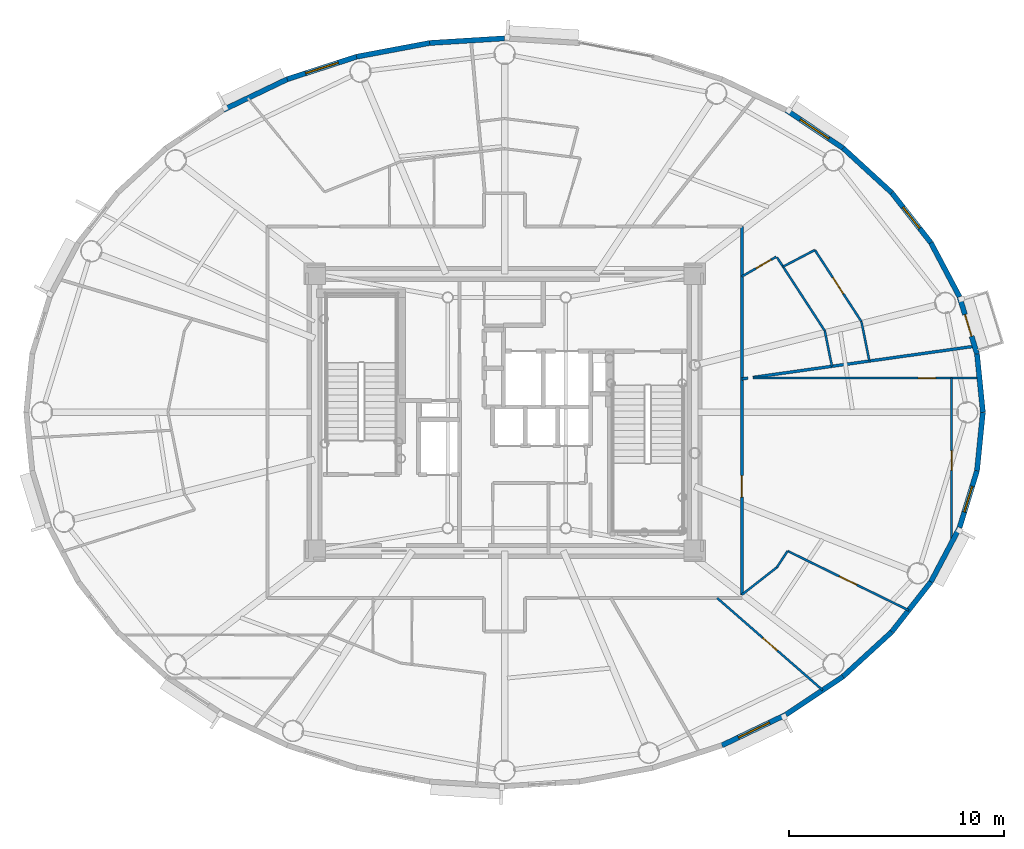
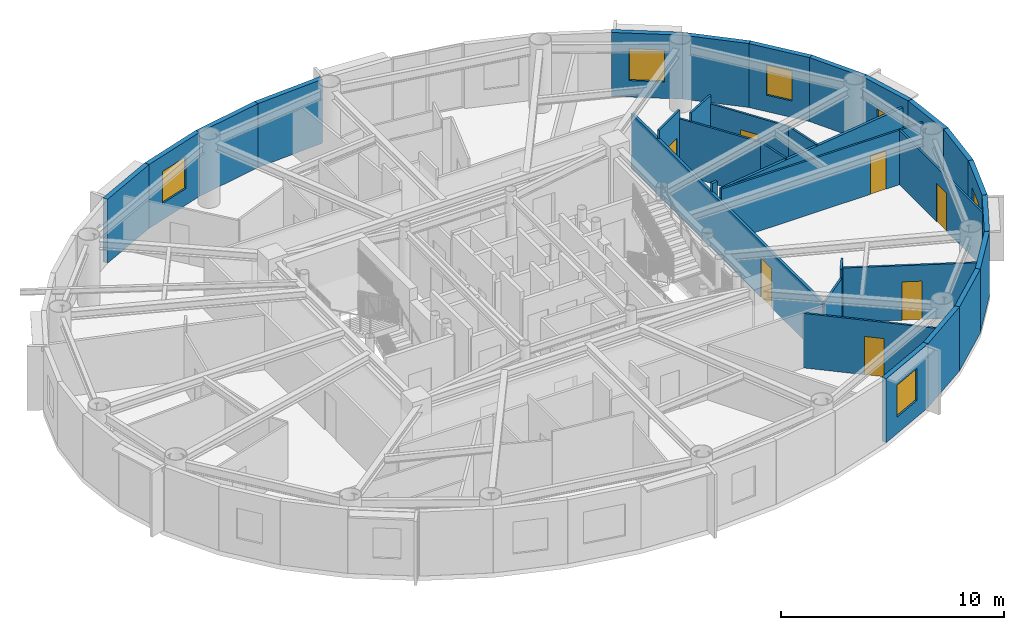
# One storey, part 9 of 17: 32 walls, 8 doors, 5 windows, 13 openings.
"""IFC4 building model written with IfcOpenShell, lengths in metres."""

from ifc_helpers import new_model, si_unit, direction, frame, frame_2d, origin, origin_2d, place, context, subcontext, project, spatial, rectangle, extrude, source, transform, mapped, material, layer, layer_set, type_object, element, fill, save


model = new_model("IFC4")

# Units and contexts
model_context = context("Model", 3, precision=1e-05, world=origin(), true_north=direction((0.0, 1.0)))
body_context = subcontext(model_context, "Body", "Model", "MODEL_VIEW")
ifc_project = project(units=[si_unit("LENGTHUNIT", "METRE"), si_unit("AREAUNIT", "SQUARE_METRE"), si_unit("VOLUMEUNIT", "CUBIC_METRE"), si_unit("PLANEANGLEUNIT", "RADIAN"), si_unit("MASSUNIT", "GRAM", prefix="KILO")], contexts=[model_context])

# Site, building, storey
site_placement = place(None, origin())
site = spatial("IfcSite", under=ifc_project, at=site_placement, CompositionType="ELEMENT")
building_placement = place(site_placement, origin())
building = spatial("IfcBuilding", under=site, at=building_placement, Name="Linh Dai School and Residence Tower", CompositionType="ELEMENT")
storey_placement = place(building_placement, frame((0.0, 0.0, 280.5)))
storey = spatial("IfcBuildingStorey", under=building, at=storey_placement, Name="L69", CompositionType="ELEMENT", Elevation=280.5)

# Wall
ifc_material_1 = material(Name="Precast Concrete B45 (C35/45)", Category="concrete")
ifc_layer_1 = layer(ifc_material_1, 0.239990234375)
ifc_layer_set_1 = layer_set([ifc_layer_1], Name="Precast Concrete B45 (C35/45)")
wall_type_1 = type_object("IfcWallType", Name="EW-TC-240", PredefinedType="SOLIDWALL", material=ifc_layer_set_1)
wall_1_placement = place(storey_placement, frame((58.001708984375, 29.718994140625, 0.0), z_axis=(0.0, 0.0, 1.0), x_axis=(0.099972526841, -0.99499019788, 0.0)))
element("IfcWall", 1, at=wall_1_placement, inside=storey, type_object=wall_type_1, Name="L69 Terracotta Exterior Wall 01", PredefinedType="SOLIDWALL", context=body_context, shape_type="SweptSolid", body=[
    extrude(rectangle(XDim=2.732666015625, YDim=0.239990234375, at=frame_2d((1.3662109375, 0.0))), origin(), (0.0, 0.0, 1.0), 3.5),
])

# Wall, opening, door
wall_2_placement = place(storey_placement, frame((57.188232421875, 32.372314453125, 0.0), z_axis=(0.0, 0.0, 1.0), x_axis=(0.2931213403, -0.956075248012, 0.0)))
wall_2 = element("IfcWall", 2, at=wall_2_placement, inside=storey, type_object=wall_type_1, Name="L69 Terracotta Exterior Wall 02", PredefinedType="SOLIDWALL", context=body_context, shape_type="SweptSolid", body=[
    extrude(rectangle(XDim=2.775146484375, YDim=0.239990234375, at=frame_2d((1.3876953125, 0.0))), origin(), (0.0, 0.0, 1.0), 3.5),
])
opening_1_placement = place(wall_2_placement, frame((0.862548828125, 0.0, 0.0)))
opening_1 = element("IfcOpeningElement", 3, at=opening_1_placement, cuts=wall_2, Name="Opening BD1", PredefinedType="OPENING", context=body_context, shape_type="SweptSolid", body=[
    extrude(rectangle(XDim=1.050048828125, YDim=2.14990234375, at=origin_2d()), frame((0.52490234375, 0.1298828125, 1.074951171875), z_axis=(0.0, -1.0, 0.0), x_axis=(1.0, 0.0, 0.0)), (0.0, 0.0, 1.0), 0.260009765625),
])
ifc_material_2 = material(Name="Double-Glazed Balcony Door", Category="glass")
door_type_1 = type_object("IfcDoorType", Name="DR-BALC-1050x2150", OperationType="NOTDEFINED", PredefinedType="DOOR", material=ifc_material_2)
shared_shape_1 = source(origin(), body_context, "Body", "SweptSolid", [
    extrude(rectangle(XDim=1.050048828125, YDim=2.14990234375, at=origin_2d()), frame((0.52490234375, 0.02490234375, 1.074951171875), z_axis=(0.0, -1.0, 0.0), x_axis=(1.0, 0.0, 0.0)), (0.0, 0.0, 1.0), 0.050048828125),
])
door_1_placement = place(opening_1_placement, origin())
door_1 = element("IfcDoor", 4, at=door_1_placement, inside=storey, type_object=door_type_1, Name="L69 Glazed Balcony Door 02", OperationType="SINGLE_SWING_LEFT", OverallHeight=2.14990234375, OverallWidth=1.050048828125, PredefinedType="DOOR", context=body_context, shape_type="MappedRepresentation", body=[
    mapped(shared_shape_1, transform((0.0, 0.0, 0.0), x_axis=(1.0, 0.0, 0.0), y_axis=(0.0, 1.0, 0.0), z_axis=(0.0, 0.0, 1.0), scale=1.0)),
])
fill(opening_1, door_1)

# Wall
wall_3_placement = place(storey_placement, frame((55.853759765625, 34.894775390625, 0.0), z_axis=(0.0, 0.0, 1.0), x_axis=(0.467628269026, -0.883925224218, 0.0)))
element("IfcWall", 5, at=wall_3_placement, inside=storey, type_object=wall_type_1, Name="L69 Terracotta Exterior Wall 03", PredefinedType="SOLIDWALL", context=body_context, shape_type="SweptSolid", body=[
    extrude(rectangle(XDim=2.853759765625, YDim=0.239990234375, at=frame_2d((1.4267578125, 0.0))), origin(), (0.0, 0.0, 1.0), 3.5),
])

# Wall, opening, window
wall_4_placement = place(storey_placement, frame((54.0302734375, 37.224609375, 0.0), z_axis=(0.0, 0.0, 1.0), x_axis=(0.616337186556, -0.787482363275, 0.0)))
wall_4 = element("IfcWall", 6, at=wall_4_placement, inside=storey, type_object=wall_type_1, Name="L69 Terracotta Exterior Wall 04", PredefinedType="SOLIDWALL", context=body_context, shape_type="SweptSolid", body=[
    extrude(rectangle(XDim=2.95849609375, YDim=0.239990234375, at=frame_2d((1.479248046875, 0.0))), origin(), (0.0, 0.0, 1.0), 3.5),
])
opening_2_placement = place(wall_4_placement, frame((0.85400390625, 0.0, 0.89990234375)))
opening_2 = element("IfcOpeningElement", 7, at=opening_2_placement, cuts=wall_4, Name="Opening W3", PredefinedType="OPENING", context=body_context, shape_type="SweptSolid", body=[
    extrude(rectangle(XDim=1.25, YDim=1.64990234375, at=origin_2d()), frame((0.625, 0.1298828125, 0.824951171875), z_axis=(0.0, -1.0, 0.0), x_axis=(1.0, 0.0, 0.0)), (0.0, 0.0, 1.0), 0.260009765625),
])
ifc_material_3 = material(Name="Double Low-E Insulated Glazing", Category="glass")
window_type_1 = type_object("IfcWindowType", Name="WN-RES-1250x1650", PartitioningType="SINGLE_PANEL", PredefinedType="WINDOW", material=ifc_material_3)
shared_shape_2 = source(origin(), body_context, "Body", "SweptSolid", [
    extrude(rectangle(XDim=1.25, YDim=1.64990234375, at=origin_2d()), frame((0.625, 0.030029296875, 0.824951171875), z_axis=(0.0, -1.0, 0.0), x_axis=(1.0, 0.0, 0.0)), (0.0, 0.0, 1.0), 0.06005859375),
])
window_1_placement = place(opening_2_placement, origin())
window_1 = element("IfcWindow", 8, at=window_1_placement, inside=storey, type_object=window_type_1, Name="L69 Exterior Window 04.1", OverallHeight=1.64990234375, OverallWidth=1.25, PartitioningType="SINGLE_PANEL", PredefinedType="WINDOW", context=body_context, shape_type="MappedRepresentation", body=[
    mapped(shared_shape_2, transform((0.0, 0.0, 0.0), x_axis=(1.0, 0.0, 0.0), y_axis=(0.0, 1.0, 0.0), z_axis=(0.0, 0.0, 1.0), scale=1.0)),
])
fill(opening_2, window_1)

# Wall
wall_5_placement = place(storey_placement, frame((51.76220703125, 39.30419921875, 0.0), z_axis=(0.0, 0.0, 1.0), x_axis=(0.737068506972, -0.675818034703, 0.0)))
element("IfcWall", 9, at=wall_5_placement, inside=storey, type_object=wall_type_1, Name="L69 Terracotta Exterior Wall 05", PredefinedType="SOLIDWALL", context=body_context, shape_type="SweptSolid", body=[
    extrude(rectangle(XDim=3.0771484375, YDim=0.239990234375, at=frame_2d((1.53857421875, 0.0))), origin(), (0.0, 0.0, 1.0), 3.5),
])

# Wall, opening, window
wall_6_placement = place(storey_placement, frame((49.1044921875, 41.08154296875, 0.0), z_axis=(0.0, 0.0, 1.0), x_axis=(0.831250592635, -0.55589787933, 0.0)))
wall_6 = element("IfcWall", 10, at=wall_6_placement, inside=storey, type_object=wall_type_1, Name="L69 Terracotta Exterior Wall 06", PredefinedType="SOLIDWALL", context=body_context, shape_type="SweptSolid", body=[
    extrude(rectangle(XDim=3.197265625, YDim=0.239990234375, at=frame_2d((1.5986328125, 0.0))), origin(), (0.0, 0.0, 1.0), 3.5),
])
opening_3_placement = place(wall_6_placement, frame((0.79833984375, 0.0, 0.89990234375)))
opening_3 = element("IfcOpeningElement", 11, at=opening_3_placement, cuts=wall_6, Name="Opening W2", PredefinedType="OPENING", context=body_context, shape_type="SweptSolid", body=[
    extrude(rectangle(XDim=1.60009765625, YDim=1.75, at=origin_2d()), frame((0.800048828125, 0.1298828125, 0.875), z_axis=(0.0, -1.0, 0.0), x_axis=(1.0, 0.0, 0.0)), (0.0, 0.0, 1.0), 0.260009765625),
])
window_type_2 = type_object("IfcWindowType", Name="WN-RES-1600x1750", PartitioningType="DOUBLE_PANEL_VERTICAL", PredefinedType="WINDOW", material=ifc_material_3)
shared_shape_3 = source(origin(), body_context, "Body", "SweptSolid", [
    extrude(rectangle(XDim=1.60009765625, YDim=1.75, at=origin_2d()), frame((0.800048828125, 0.030029296875, 0.875), z_axis=(0.0, -1.0, 0.0), x_axis=(1.0, 0.0, 0.0)), (0.0, 0.0, 1.0), 0.06005859375),
])
window_2_placement = place(opening_3_placement, origin())
window_2 = element("IfcWindow", 12, at=window_2_placement, inside=storey, type_object=window_type_2, Name="L69 Exterior Window 06.1", OverallHeight=1.75, OverallWidth=1.60009765625, PartitioningType="DOUBLE_PANEL_VERTICAL", PredefinedType="WINDOW", context=body_context, shape_type="MappedRepresentation", body=[
    mapped(shared_shape_3, transform((0.0, 0.0, 0.0), x_axis=(1.0, 0.0, 0.0), y_axis=(0.0, 1.0, 0.0), z_axis=(0.0, 0.0, 1.0), scale=1.0)),
])
fill(opening_3, window_2)

# Walls
wall_7_placement = place(storey_placement, frame((32.51123046875, 44.199951171875, 0.0), z_axis=(0.0, 0.0, 1.0), x_axis=(0.998104946479, 0.061534671648, 0.0)))
element("IfcWall", 13, at=wall_7_placement, inside=storey, type_object=wall_type_1, Name="L69 Terracotta Exterior Wall 11", PredefinedType="SOLIDWALL", context=body_context, shape_type="SweptSolid", body=[
    extrude(rectangle(XDim=3.495361328125, YDim=0.239990234375, at=frame_2d((1.74755859375, 0.0))), origin(), (0.0, 0.0, 1.0), 3.5),
])
wall_8_placement = place(storey_placement, frame((29.10888671875, 43.560302734375, 0.0), z_axis=(0.0, 0.0, 1.0), x_axis=(0.982782655757, 0.184765395959, 0.0)))
element("IfcWall", 14, at=wall_8_placement, inside=storey, type_object=wall_type_1, Name="L69 Terracotta Exterior Wall 12", PredefinedType="SOLIDWALL", context=body_context, shape_type="SweptSolid", body=[
    extrude(rectangle(XDim=3.4619140625, YDim=0.239990234375, at=frame_2d((1.73095703125, 0.0))), origin(), (0.0, 0.0, 1.0), 3.5),
])

# Wall, opening, window
wall_9_placement = place(storey_placement, frame((25.876953125, 42.51220703125, 0.0), z_axis=(0.0, 0.0, 1.0), x_axis=(0.95123136723, 0.308478339592, 0.0)))
wall_9 = element("IfcWall", 15, at=wall_9_placement, inside=storey, type_object=wall_type_1, Name="L69 Terracotta Exterior Wall 13", PredefinedType="SOLIDWALL", context=body_context, shape_type="SweptSolid", body=[
    extrude(rectangle(XDim=3.397705078125, YDim=0.239990234375, at=frame_2d((1.69873046875, 0.0))), origin(), (0.0, 0.0, 1.0), 3.5),
])
opening_4_placement = place(wall_9_placement, frame((0.89892578125, 0.0, 0.89990234375)))
opening_4 = element("IfcOpeningElement", 16, at=opening_4_placement, cuts=wall_9, Name="Opening W2", PredefinedType="OPENING", context=body_context, shape_type="SweptSolid", body=[
    extrude(rectangle(XDim=1.60009765625, YDim=1.75, at=origin_2d()), frame((0.800048828125, 0.1298828125, 0.875), z_axis=(0.0, -1.0, 0.0), x_axis=(1.0, 0.0, 0.0)), (0.0, 0.0, 1.0), 0.260009765625),
])
window_3_placement = place(opening_4_placement, origin())
window_3 = element("IfcWindow", 17, at=window_3_placement, inside=storey, type_object=window_type_2, Name="L69 Exterior Window 13.1", OverallHeight=1.75, OverallWidth=1.60009765625, PartitioningType="DOUBLE_PANEL_VERTICAL", PredefinedType="WINDOW", context=body_context, shape_type="MappedRepresentation", body=[
    mapped(shared_shape_3, transform((0.0, 0.0, 0.0), x_axis=(1.0, 0.0, 0.0), y_axis=(0.0, 1.0, 0.0), z_axis=(0.0, 0.0, 1.0), scale=1.0)),
])
fill(opening_4, window_3)

# Wall
wall_10_placement = place(storey_placement, frame((22.8955078125, 41.08154296875, 0.0), z_axis=(0.0, 0.0, 1.0), x_axis=(0.901573741254, 0.43262546051, 0.0)))
element("IfcWall", 18, at=wall_10_placement, inside=storey, type_object=wall_type_1, Name="L69 Terracotta Exterior Wall 14", PredefinedType="SOLIDWALL", context=body_context, shape_type="SweptSolid", body=[
    extrude(rectangle(XDim=3.306884765625, YDim=0.239990234375, at=frame_2d((1.6533203125, 0.0))), origin(), (0.0, 0.0, 1.0), 3.5),
])

# Wall, opening, window
wall_11_placement = place(storey_placement, frame((49.1044921875, 12.91845703125, 0.0), z_axis=(0.0, 0.0, 1.0), x_axis=(-0.901573741254, -0.43262546051, 0.0)))
wall_11 = element("IfcWall", 19, at=wall_11_placement, inside=storey, type_object=wall_type_1, Name="L69 Terracotta Exterior Wall 34", PredefinedType="SOLIDWALL", context=body_context, shape_type="SweptSolid", body=[
    extrude(rectangle(XDim=3.306884765625, YDim=0.239990234375, at=frame_2d((1.6533203125, 0.0))), origin(), (0.0, 0.0, 1.0), 3.5),
])
opening_5_placement = place(wall_11_placement, frame((0.853515625, 0.0, 0.89990234375)))
opening_5 = element("IfcOpeningElement", 20, at=opening_5_placement, cuts=wall_11, Name="Opening W2", PredefinedType="OPENING", context=body_context, shape_type="SweptSolid", body=[
    extrude(rectangle(XDim=1.60009765625, YDim=1.75, at=origin_2d()), frame((0.800048828125, 0.1298828125, 0.875), z_axis=(0.0, -1.0, 0.0), x_axis=(1.0, 0.0, 0.0)), (0.0, 0.0, 1.0), 0.260009765625),
])
window_4_placement = place(opening_5_placement, origin())
window_4 = element("IfcWindow", 21, at=window_4_placement, inside=storey, type_object=window_type_2, Name="L69 Exterior Window 34.1", OverallHeight=1.75, OverallWidth=1.60009765625, PartitioningType="DOUBLE_PANEL_VERTICAL", PredefinedType="WINDOW", context=body_context, shape_type="MappedRepresentation", body=[
    mapped(shared_shape_3, transform((0.0, 0.0, 0.0), x_axis=(1.0, 0.0, 0.0), y_axis=(0.0, 1.0, 0.0), z_axis=(0.0, 0.0, 1.0), scale=1.0)),
])
fill(opening_5, window_4)

# Walls
wall_12_placement = place(storey_placement, frame((51.76220703125, 14.69580078125, 0.0), z_axis=(0.0, 0.0, 1.0), x_axis=(-0.831250592635, -0.55589787933, 0.0)))
element("IfcWall", 22, at=wall_12_placement, inside=storey, type_object=wall_type_1, Name="L69 Terracotta Exterior Wall 35", PredefinedType="SOLIDWALL", context=body_context, shape_type="SweptSolid", body=[
    extrude(rectangle(XDim=3.197265625, YDim=0.239990234375, at=frame_2d((1.5986328125, 0.0))), origin(), (0.0, 0.0, 1.0), 3.5),
])
wall_13_placement = place(storey_placement, frame((54.0302734375, 16.775390625, 0.0), z_axis=(0.0, 0.0, 1.0), x_axis=(-0.737068506972, -0.675818034703, 0.0)))
element("IfcWall", 23, at=wall_13_placement, inside=storey, type_object=wall_type_1, Name="L69 Terracotta Exterior Wall 36", PredefinedType="SOLIDWALL", context=body_context, shape_type="SweptSolid", body=[
    extrude(rectangle(XDim=3.0771484375, YDim=0.239990234375, at=frame_2d((1.53857421875, 0.0))), origin(), (0.0, 0.0, 1.0), 3.5),
])
wall_14_placement = place(storey_placement, frame((55.853759765625, 19.105224609375, 0.0), z_axis=(0.0, 0.0, 1.0), x_axis=(-0.616337186556, -0.787482363275, 0.0)))
element("IfcWall", 24, at=wall_14_placement, inside=storey, type_object=wall_type_1, Name="L69 Terracotta Exterior Wall 37", PredefinedType="SOLIDWALL", context=body_context, shape_type="SweptSolid", body=[
    extrude(rectangle(XDim=2.95849609375, YDim=0.239990234375, at=frame_2d((1.479248046875, 0.0))), origin(), (0.0, 0.0, 1.0), 3.5),
])
wall_15_placement = place(storey_placement, frame((57.188232421875, 21.627685546875, 0.0), z_axis=(0.0, 0.0, 1.0), x_axis=(-0.467628269026, -0.883925224218, 0.0)))
element("IfcWall", 25, at=wall_15_placement, inside=storey, type_object=wall_type_1, Name="L69 Terracotta Exterior Wall 38", PredefinedType="SOLIDWALL", context=body_context, shape_type="SweptSolid", body=[
    extrude(rectangle(XDim=2.853759765625, YDim=0.239990234375, at=frame_2d((1.4267578125, 0.0))), origin(), (0.0, 0.0, 1.0), 3.5),
])

# Wall, opening, window
wall_16_placement = place(storey_placement, frame((58.001708984375, 24.281005859375, 0.0), z_axis=(0.0, 0.0, 1.0), x_axis=(-0.2931213403, -0.956075248012, 0.0)))
wall_16 = element("IfcWall", 26, at=wall_16_placement, inside=storey, type_object=wall_type_1, Name="L69 Terracotta Exterior Wall 39", PredefinedType="SOLIDWALL", context=body_context, shape_type="SweptSolid", body=[
    extrude(rectangle(XDim=2.775146484375, YDim=0.239990234375, at=frame_2d((1.3876953125, 0.0))), origin(), (0.0, 0.0, 1.0), 3.5),
])
opening_6_placement = place(wall_16_placement, frame((0.7626953125, 0.0, 0.89990234375)))
opening_6 = element("IfcOpeningElement", 27, at=opening_6_placement, cuts=wall_16, Name="Opening W3", PredefinedType="OPENING", context=body_context, shape_type="SweptSolid", body=[
    extrude(rectangle(XDim=1.25, YDim=1.64990234375, at=origin_2d()), frame((0.625, 0.1298828125, 0.824951171875), z_axis=(0.0, -1.0, 0.0), x_axis=(1.0, 0.0, 0.0)), (0.0, 0.0, 1.0), 0.260009765625),
])
window_5_placement = place(opening_6_placement, origin())
window_5 = element("IfcWindow", 28, at=window_5_placement, inside=storey, type_object=window_type_1, Name="L69 Exterior Window 39.1", OverallHeight=1.64990234375, OverallWidth=1.25, PartitioningType="SINGLE_PANEL", PredefinedType="WINDOW", context=body_context, shape_type="MappedRepresentation", body=[
    mapped(shared_shape_2, transform((0.0, 0.0, 0.0), x_axis=(1.0, 0.0, 0.0), y_axis=(0.0, 1.0, 0.0), z_axis=(0.0, 0.0, 1.0), scale=1.0)),
])
fill(opening_6, window_5)

# Wall
wall_17_placement = place(storey_placement, frame((58.27490234375, 27.0, 0.0), z_axis=(0.0, 0.0, 1.0), x_axis=(-0.099972526841, -0.99499019788, 0.0)))
element("IfcWall", 29, at=wall_17_placement, inside=storey, type_object=wall_type_1, Name="L69 Terracotta Exterior Wall 40", PredefinedType="SOLIDWALL", context=body_context, shape_type="SweptSolid", body=[
    extrude(rectangle(XDim=2.732666015625, YDim=0.239990234375, at=frame_2d((1.3662109375, 0.0))), origin(), (0.0, 0.0, 1.0), 3.5),
])

# Wall, opening, door
ifc_material_4 = material(Name="Autoclaved Aerated Concrete Blockwork", Category="masonry")
ifc_layer_2 = layer(ifc_material_4, 0.135009765625)
ifc_layer_set_2 = layer_set([ifc_layer_2], Name="Autoclaved Aerated Concrete Blockwork")
wall_type_2 = type_object("IfcWallType", Name="IW-CORR-135-EI90", PredefinedType="PARTITIONING", material=ifc_layer_set_2)
wall_18_placement = place(storey_placement, frame((47.050048828125, 18.502685546875, 0.0), z_axis=(0.0, 0.0, 1.0), x_axis=(0.0, 1.0, 0.0)))
wall_18 = element("IfcWall", 30, at=wall_18_placement, inside=storey, type_object=wall_type_2, Name="L69 Interior Partition Wall 074", PredefinedType="PARTITIONING", context=body_context, shape_type="SweptSolid", body=[
    extrude(rectangle(XDim=17.147216796875, YDim=0.135009765625, at=frame_2d((8.57373046875, 0.0))), origin(), (0.0, 0.0, 1.0), 3.034912109375),
])
opening_7_placement = place(wall_18_placement, frame((4.545166015625, 0.0, 0.0)))
opening_7 = element("IfcOpeningElement", 31, at=opening_7_placement, cuts=wall_18, Name="Opening D03", PredefinedType="OPENING", context=body_context, shape_type="SweptSolid", body=[
    extrude(rectangle(XDim=1.0, YDim=2.14990234375, at=origin_2d()), frame((0.5, 0.07763671875, 1.074951171875), z_axis=(0.0, -1.0, 0.0), x_axis=(1.0, 0.0, 0.0)), (0.0, 0.0, 1.0), 0.155029296875),
])
ifc_material_5 = material(Name="Fire-Rated Solid Timber Entrance Door", Category="wood")
door_type_2 = type_object("IfcDoorType", Name="DR-FLAT-1000x2150-FD60S", OperationType="NOTDEFINED", PredefinedType="DOOR", material=ifc_material_5)
shared_shape_4 = source(origin(), body_context, "Body", "SweptSolid", [
    extrude(rectangle(XDim=1.0, YDim=2.14990234375, at=origin_2d()), frame((0.5, 0.02490234375, 1.074951171875), z_axis=(0.0, -1.0, 0.0), x_axis=(1.0, 0.0, 0.0)), (0.0, 0.0, 1.0), 0.050048828125),
])
door_2_placement = place(opening_7_placement, origin())
door_2 = element("IfcDoor", 32, at=door_2_placement, inside=storey, type_object=door_type_2, Name="L69 U6906 Apartment Entrance Door", OperationType="SINGLE_SWING_RIGHT", OverallHeight=2.14990234375, OverallWidth=1.0, PredefinedType="DOOR", context=body_context, shape_type="MappedRepresentation", body=[
    mapped(shared_shape_4, transform((0.0, 0.0, 0.0), x_axis=(1.0, 0.0, 0.0), y_axis=(0.0, 1.0, 0.0), z_axis=(0.0, 0.0, 1.0), scale=1.0)),
])
fill(opening_7, door_2)

# Walls
wall_19_placement = place(storey_placement, frame((47.050048828125, 28.552978515625, 0.0), z_axis=(0.0, 0.0, 1.0), x_axis=(0.990308552968, 0.138884736087, 0.0)))
element("IfcWall", 33, at=wall_19_placement, inside=storey, type_object=wall_type_2, Name="L69 Interior Partition Wall 076", PredefinedType="PARTITIONING", context=body_context, shape_type="SweptSolid", body=[
    extrude(rectangle(XDim=0.282958984375, YDim=0.135009765625, at=frame_2d((0.1416015625, 0.0))), origin(), (0.0, 0.0, 1.0), 3.5),
])
wall_20_placement = place(storey_placement, frame((47.56201171875, 28.625, 0.0), z_axis=(0.0, 0.0, 1.0), x_axis=(0.990269276455, 0.139164507362, 0.0)))
element("IfcWall", 34, at=wall_20_placement, inside=storey, type_object=wall_type_2, Name="L69 Interior Partition Wall 078", PredefinedType="PARTITIONING", context=body_context, shape_type="SweptSolid", body=[
    extrude(rectangle(XDim=10.4365234375, YDim=0.135009765625, at=frame_2d((5.21826171875, 0.0))), origin(), (0.0, 0.0, 1.0), 2.985107421875),
])

# Wall, opening, door
ifc_material_6 = material(Name="Gypsum Plasterboard Acoustic Stud Partition", Category="masonry")
ifc_layer_3 = layer(ifc_material_6, 0.10009765625)
ifc_layer_set_3 = layer_set([ifc_layer_3], Name="Gypsum Plasterboard Acoustic Stud Partition")
wall_type_3 = type_object("IfcWallType", Name="IW-UNIT-100", PredefinedType="PARTITIONING", material=ifc_layer_set_3)
wall_21_placement = place(storey_placement, frame((45.90087890625, 18.35009765625, 0.0), z_axis=(0.0, 0.0, 1.0), x_axis=(0.753056223084, -0.657956172457, 0.0)))
wall_21 = element("IfcWall", 35, at=wall_21_placement, inside=storey, type_object=wall_type_3, Name="L69 Interior Partition Wall 073", PredefinedType="PARTITIONING", context=body_context, shape_type="SweptSolid", body=[
    extrude(rectangle(XDim=6.52587890625, YDim=0.10009765625, at=frame_2d((3.262939453125, 0.0))), origin(), (0.0, 0.0, 1.0), 2.985107421875),
])
opening_8_placement = place(wall_21_placement, frame((2.81298828125, 0.0, 0.0)))
opening_8 = element("IfcOpeningElement", 36, at=opening_8_placement, cuts=wall_21, Name="Opening D05", PredefinedType="OPENING", context=body_context, shape_type="SweptSolid", body=[
    extrude(rectangle(XDim=0.89990234375, YDim=2.10009765625, at=origin_2d()), frame((0.449951171875, 0.06005859375, 1.050048828125), z_axis=(0.0, -1.0, 0.0), x_axis=(1.0, 0.0, 0.0)), (0.0, 0.0, 1.0), 0.1201171875),
])
ifc_material_7 = material(Name="Engineered Timber Internal Door", Category="wood")
door_type_3 = type_object("IfcDoorType", Name="DR-INT-900x2100", OperationType="NOTDEFINED", PredefinedType="DOOR", material=ifc_material_7)
shared_shape_5 = source(origin(), body_context, "Body", "SweptSolid", [
    extrude(rectangle(XDim=0.89990234375, YDim=2.10009765625, at=origin_2d()), frame((0.449951171875, 0.02490234375, 1.050048828125), z_axis=(0.0, -1.0, 0.0), x_axis=(1.0, 0.0, 0.0)), (0.0, 0.0, 1.0), 0.050048828125),
])
door_3_placement = place(opening_8_placement, origin())
door_3 = element("IfcDoor", 37, at=door_3_placement, inside=storey, type_object=door_type_3, Name="L69 Apartment U6906 Principal Bedroom 1 Door", OperationType="SINGLE_SWING_RIGHT", OverallHeight=2.10009765625, OverallWidth=0.89990234375, PredefinedType="DOOR", context=body_context, shape_type="MappedRepresentation", body=[
    mapped(shared_shape_5, transform((0.0, 0.0, 0.0), x_axis=(1.0, 0.0, 0.0), y_axis=(0.0, 1.0, 0.0), z_axis=(0.0, 0.0, 1.0), scale=1.0)),
])
fill(opening_8, door_3)

# Wall
wall_22_placement = place(storey_placement, frame((47.050048828125, 18.502685546875, 0.0), z_axis=(0.0, 0.0, 1.0), x_axis=(0.787328855274, 0.616533270516, 0.0)))
element("IfcWall", 38, at=wall_22_placement, inside=storey, type_object=wall_type_3, Name="L69 Interior Partition Wall 075", PredefinedType="PARTITIONING", context=body_context, shape_type="SweptSolid", body=[
    extrude(rectangle(XDim=2.076904296875, YDim=0.10009765625, at=frame_2d((1.03857421875, 0.0))), origin(), (0.0, 0.0, 1.0), 3.034912109375),
])

# Wall, opening, door
wall_23_placement = place(storey_placement, frame((47.050048828125, 33.32568359375, 0.0), z_axis=(0.0, 0.0, 1.0), x_axis=(0.867827775188, 0.496865125172, 0.0)))
wall_23 = element("IfcWall", 39, at=wall_23_placement, inside=storey, type_object=wall_type_3, Name="L69 Interior Partition Wall 077", PredefinedType="PARTITIONING", context=body_context, shape_type="SweptSolid", body=[
    extrude(rectangle(XDim=1.845947265625, YDim=0.10009765625, at=frame_2d((0.9228515625, 0.0))), origin(), (0.0, 0.0, 1.0), 3.5),
])
opening_9_placement = place(wall_23_placement, frame((0.748779296875, 0.0, 0.0)))
opening_9 = element("IfcOpeningElement", 40, at=opening_9_placement, cuts=wall_23, Name="Opening D06", PredefinedType="OPENING", context=body_context, shape_type="SweptSolid", body=[
    extrude(rectangle(XDim=0.820068359375, YDim=2.10009765625, at=origin_2d()), frame((0.41015625, 0.06005859375, 1.050048828125), z_axis=(0.0, -1.0, 0.0), x_axis=(1.0, 0.0, 0.0)), (0.0, 0.0, 1.0), 0.1201171875),
])
ifc_material_8 = material(Name="Moisture-Resistant Timber Bathroom Door", Category="wood")
door_type_4 = type_object("IfcDoorType", Name="DR-WET-820x2100", OperationType="NOTDEFINED", PredefinedType="DOOR", material=ifc_material_8)
shared_shape_6 = source(origin(), body_context, "Body", "SweptSolid", [
    extrude(rectangle(XDim=0.820068359375, YDim=2.10009765625, at=origin_2d()), frame((0.41015625, 0.02490234375, 1.050048828125), z_axis=(0.0, -1.0, 0.0), x_axis=(1.0, 0.0, 0.0)), (0.0, 0.0, 1.0), 0.050048828125),
])
door_4_placement = place(opening_9_placement, origin())
door_4 = element("IfcDoor", 41, at=door_4_placement, inside=storey, type_object=door_type_4, Name="L69 Apartment U6901 Bathroom Door", OperationType="SINGLE_SWING_RIGHT", OverallHeight=2.10009765625, OverallWidth=0.820068359375, PredefinedType="DOOR", context=body_context, shape_type="MappedRepresentation", body=[
    mapped(shared_shape_6, transform((0.0, 0.0, 0.0), x_axis=(1.0, 0.0, 0.0), y_axis=(0.0, 1.0, 0.0), z_axis=(0.0, 0.0, 1.0), scale=1.0)),
])
fill(opening_9, door_4)

wall_24_placement = place(storey_placement, frame((47.564453125, 28.59228515625, 0.0), z_axis=(0.0, 0.0, 1.0), x_axis=(1.0, 0.0, 0.0)))
wall_24 = element("IfcWall", 42, at=wall_24_placement, inside=storey, type_object=wall_type_3, Name="L69 Interior Partition Wall 079", PredefinedType="PARTITIONING", context=body_context, shape_type="SweptSolid", body=[
    extrude(rectangle(XDim=10.555419921875, YDim=0.10009765625, at=frame_2d((5.27783203125, 0.0))), origin(), (0.0, 0.0, 1.0), 2.985107421875),
])
opening_10_placement = place(wall_24_placement, frame((7.69482421875, 0.0, 0.0)))
opening_10 = element("IfcOpeningElement", 43, at=opening_10_placement, cuts=wall_24, Name="Opening D06", PredefinedType="OPENING", context=body_context, shape_type="SweptSolid", body=[
    extrude(rectangle(XDim=0.820068359375, YDim=2.10009765625, at=origin_2d()), frame((0.41015625, 0.06005859375, 1.050048828125), z_axis=(0.0, -1.0, 0.0), x_axis=(1.0, 0.0, 0.0)), (0.0, 0.0, 1.0), 0.1201171875),
])
door_5_placement = place(opening_10_placement, origin())
door_5 = element("IfcDoor", 44, at=door_5_placement, inside=storey, type_object=door_type_4, Name="L69 Apartment U6906 Bathroom 1 Door", OperationType="SINGLE_SWING_RIGHT", OverallHeight=2.10009765625, OverallWidth=0.820068359375, PredefinedType="DOOR", context=body_context, shape_type="MappedRepresentation", body=[
    mapped(shared_shape_6, transform((0.0, 0.0, 0.0), x_axis=(1.0, 0.0, 0.0), y_axis=(0.0, 1.0, 0.0), z_axis=(0.0, 0.0, 1.0), scale=1.0)),
])
fill(opening_10, door_5)

# Walls
wall_25_placement = place(storey_placement, frame((48.685302734375, 19.783203125, 0.0), z_axis=(0.0, 0.0, 1.0), x_axis=(0.545519027777, 0.838098437138, 0.0)))
element("IfcWall", 45, at=wall_25_placement, inside=storey, type_object=wall_type_3, Name="L69 Interior Partition Wall 080", PredefinedType="PARTITIONING", context=body_context, shape_type="SweptSolid", body=[
    extrude(rectangle(XDim=0.9052734375, YDim=0.10009765625, at=frame_2d((0.45263671875, 0.0))), origin(), (0.0, 0.0, 1.0), 3.5),
])
wall_26_placement = place(storey_placement, frame((48.685302734375, 34.216796875, 0.0), z_axis=(0.0, 0.0, 1.0), x_axis=(0.54540855562, -0.8381703332, 0.0)))
element("IfcWall", 46, at=wall_26_placement, inside=storey, type_object=wall_type_3, Name="L69 Interior Partition Wall 081", PredefinedType="PARTITIONING", context=body_context, shape_type="SweptSolid", body=[
    extrude(rectangle(XDim=4.083740234375, YDim=0.10009765625, at=frame_2d((2.0419921875, 0.0))), origin(), (0.0, 0.0, 1.0), 3.034912109375),
])
wall_27_placement = place(storey_placement, frame((48.968017578125, 33.782470703125, 0.0), z_axis=(0.0, 0.0, 1.0), x_axis=(0.886102824681, 0.463488709779, 0.0)))
element("IfcWall", 47, at=wall_27_placement, inside=storey, type_object=wall_type_3, Name="L69 Interior Partition Wall 082", PredefinedType="PARTITIONING", context=body_context, shape_type="SweptSolid", body=[
    extrude(rectangle(XDim=1.67236328125, YDim=0.10009765625, at=frame_2d((0.836181640625, 0.0))), origin(), (0.0, 0.0, 1.0), 3.5),
])

# Wall, opening, door
wall_28_placement = place(storey_placement, frame((49.17919921875, 20.5419921875, 0.0), z_axis=(0.0, 0.0, 1.0), x_axis=(0.89799659679, -0.440002400167, 0.0)))
wall_28 = element("IfcWall", 48, at=wall_28_placement, inside=storey, type_object=wall_type_3, Name="L69 Interior Partition Wall 083", PredefinedType="PARTITIONING", context=body_context, shape_type="SweptSolid", body=[
    extrude(rectangle(XDim=6.28271484375, YDim=0.10009765625, at=frame_2d((3.141357421875, 0.0))), origin(), (0.0, 0.0, 1.0), 2.985107421875),
])
opening_11_placement = place(wall_28_placement, frame((2.69140625, 0.0, 0.0)))
opening_11 = element("IfcOpeningElement", 49, at=opening_11_placement, cuts=wall_28, Name="Opening D05", PredefinedType="OPENING", context=body_context, shape_type="SweptSolid", body=[
    extrude(rectangle(XDim=0.89990234375, YDim=2.10009765625, at=origin_2d()), frame((0.449951171875, 0.06005859375, 1.050048828125), z_axis=(0.0, -1.0, 0.0), x_axis=(1.0, 0.0, 0.0)), (0.0, 0.0, 1.0), 0.1201171875),
])
door_6_placement = place(opening_11_placement, origin())
door_6 = element("IfcDoor", 50, at=door_6_placement, inside=storey, type_object=door_type_3, Name="L69 Apartment U6906 Study Door", OperationType="SINGLE_SWING_LEFT", OverallHeight=2.10009765625, OverallWidth=0.89990234375, PredefinedType="DOOR", context=body_context, shape_type="MappedRepresentation", body=[
    mapped(shared_shape_5, transform((0.0, 0.0, 0.0), x_axis=(1.0, 0.0, 0.0), y_axis=(0.0, 1.0, 0.0), z_axis=(0.0, 0.0, 1.0), scale=1.0)),
])
fill(opening_11, door_6)

wall_29_placement = place(storey_placement, frame((50.449951171875, 34.5576171875, 0.0), z_axis=(0.0, 0.0, 1.0), x_axis=(0.545448348881, -0.838144437853, 0.0)))
wall_29 = element("IfcWall", 51, at=wall_29_placement, inside=storey, type_object=wall_type_3, Name="L69 Interior Partition Wall 084", PredefinedType="PARTITIONING", context=body_context, shape_type="SweptSolid", body=[
    extrude(rectangle(XDim=3.972900390625, YDim=0.10009765625, at=frame_2d((1.986328125, 0.0))), origin(), (0.0, 0.0, 1.0), 3.034912109375),
])
opening_12_placement = place(wall_29_placement, frame((1.536376953125, 0.0, 0.0)))
opening_12 = element("IfcOpeningElement", 52, at=opening_12_placement, cuts=wall_29, Name="Opening D05", PredefinedType="OPENING", context=body_context, shape_type="SweptSolid", body=[
    extrude(rectangle(XDim=0.89990234375, YDim=2.10009765625, at=origin_2d()), frame((0.449951171875, 0.06005859375, 1.050048828125), z_axis=(0.0, -1.0, 0.0), x_axis=(1.0, 0.0, 0.0)), (0.0, 0.0, 1.0), 0.1201171875),
])
door_7_placement = place(opening_12_placement, origin())
door_7 = element("IfcDoor", 53, at=door_7_placement, inside=storey, type_object=door_type_3, Name="L69 Apartment U6901 Kitchen Door", OperationType="SINGLE_SWING_LEFT", OverallHeight=2.10009765625, OverallWidth=0.89990234375, PredefinedType="DOOR", context=body_context, shape_type="MappedRepresentation", body=[
    mapped(shared_shape_5, transform((0.0, 0.0, 0.0), x_axis=(1.0, 0.0, 0.0), y_axis=(0.0, 1.0, 0.0), z_axis=(0.0, 0.0, 1.0), scale=1.0)),
])
fill(opening_12, door_7)

# Walls
wall_30_placement = place(storey_placement, frame((50.91259765625, 30.794189453125, 0.0), z_axis=(0.0, 0.0, 1.0), x_axis=(0.198233557602, -0.980154812588, 0.0)))
element("IfcWall", 54, at=wall_30_placement, inside=storey, type_object=wall_type_3, Name="L69 Interior Partition Wall 085", PredefinedType="PARTITIONING", context=body_context, shape_type="SweptSolid", body=[
    extrude(rectangle(XDim=1.684814453125, YDim=0.10009765625, at=frame_2d((0.84228515625, 0.0))), origin(), (0.0, 0.0, 1.0), 3.034912109375),
])
wall_31_placement = place(storey_placement, frame((52.616943359375, 31.227783203125, 0.0), z_axis=(0.0, 0.0, 1.0), x_axis=(0.198191443997, -0.980163329005, 0.0)))
element("IfcWall", 55, at=wall_31_placement, inside=storey, type_object=wall_type_3, Name="L69 Interior Partition Wall 086", PredefinedType="PARTITIONING", context=body_context, shape_type="SweptSolid", body=[
    extrude(rectangle(XDim=1.87744140625, YDim=0.10009765625, at=frame_2d((0.938720703125, 0.0))), origin(), (0.0, 0.0, 1.0), 3.034912109375),
])

# Wall, opening, door
wall_32_placement = place(storey_placement, frame((56.818115234375, 20.917236328125, 0.0), z_axis=(0.0, 0.0, 1.0), x_axis=(0.0, 1.0, 0.0)))
wall_32 = element("IfcWall", 56, at=wall_32_placement, inside=storey, type_object=wall_type_3, Name="L69 Interior Partition Wall 087", PredefinedType="PARTITIONING", context=body_context, shape_type="SweptSolid", body=[
    extrude(rectangle(XDim=7.675048828125, YDim=0.10009765625, at=frame_2d((3.83740234375, 0.0))), origin(), (0.0, 0.0, 1.0), 2.985107421875),
])
opening_13_placement = place(wall_32_placement, frame((3.3876953125, 0.0, 0.0)))
opening_13 = element("IfcOpeningElement", 57, at=opening_13_placement, cuts=wall_32, Name="Opening D05", PredefinedType="OPENING", context=body_context, shape_type="SweptSolid", body=[
    extrude(rectangle(XDim=0.89990234375, YDim=2.10009765625, at=origin_2d()), frame((0.449951171875, 0.06005859375, 1.050048828125), z_axis=(0.0, -1.0, 0.0), x_axis=(1.0, 0.0, 0.0)), (0.0, 0.0, 1.0), 0.1201171875),
])
door_8_placement = place(opening_13_placement, origin())
door_8 = element("IfcDoor", 58, at=door_8_placement, inside=storey, type_object=door_type_3, Name="L69 Apartment U6906 Kitchen Door", OperationType="SINGLE_SWING_LEFT", OverallHeight=2.10009765625, OverallWidth=0.89990234375, PredefinedType="DOOR", context=body_context, shape_type="MappedRepresentation", body=[
    mapped(shared_shape_5, transform((0.0, 0.0, 0.0), x_axis=(1.0, 0.0, 0.0), y_axis=(0.0, 1.0, 0.0), z_axis=(0.0, 0.0, 1.0), scale=1.0)),
])
fill(opening_13, door_8)

save(model, "model.ifc")
